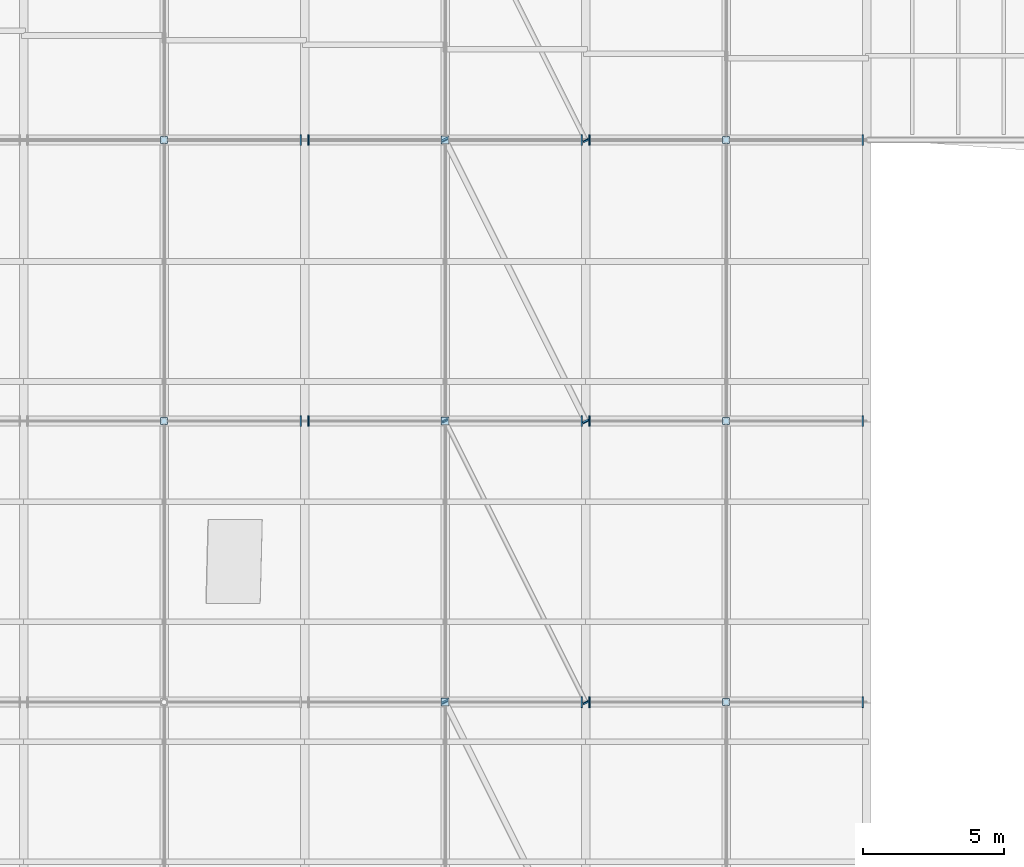
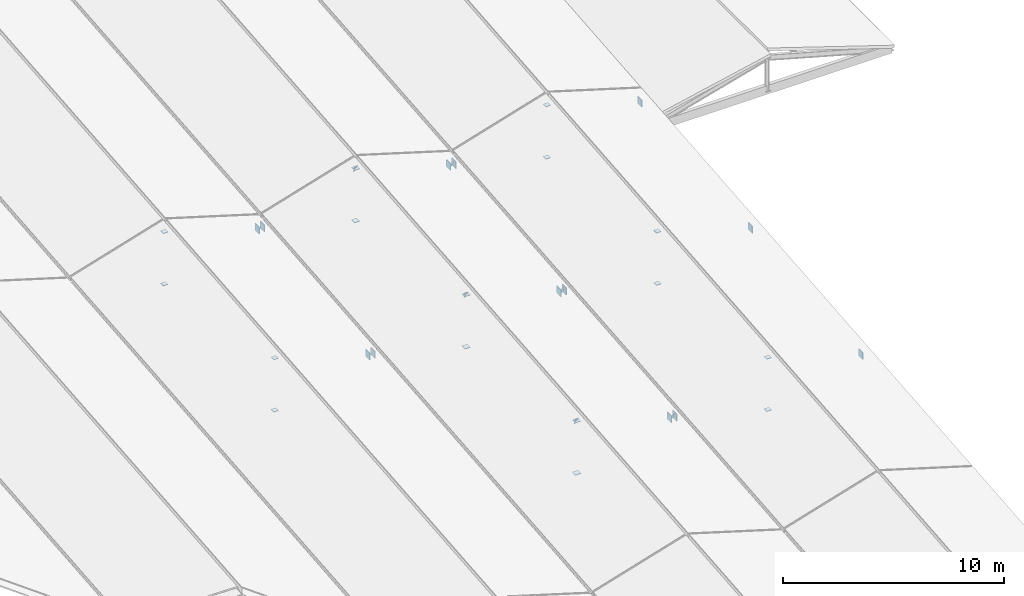
# One storey, part 83 of 90: 35 plates.
"""IFC4 building model written with IfcOpenShell, lengths in metres."""

from ifc_helpers import new_model, si_unit, direction, frame, origin, origin_2d, place, context, subcontext, project, spatial, rectangle, extrude, material, layer, layer_set, type_object, element, save


model = new_model("IFC4")

# Units and contexts
model_context = context("Model", 3, precision=1e-05, world=origin(), true_north=direction((0.0, 1.0)))
body_context = subcontext(model_context, "Body", "Model", "MODEL_VIEW")
ifc_project = project(units=[si_unit("LENGTHUNIT", "METRE"), si_unit("AREAUNIT", "SQUARE_METRE"), si_unit("VOLUMEUNIT", "CUBIC_METRE"), si_unit("PLANEANGLEUNIT", "RADIAN"), si_unit("MASSUNIT", "GRAM", prefix="KILO"), si_unit("THERMODYNAMICTEMPERATUREUNIT", "KELVIN"), si_unit("POWERUNIT", "WATT")], contexts=[model_context])

# Site, building, storey
site_placement = place(None, origin())
site = spatial("IfcSite", under=ifc_project, at=site_placement, CompositionType="ELEMENT")
building_placement = place(site_placement, origin())
building = spatial("IfcBuilding", under=site, at=building_placement, Name="Korenveer Ferry Terminal", CompositionType="ELEMENT")
storey_placement = place(building_placement, frame((0.0, 0.0, 22.199951171875)))
storey = spatial("IfcBuildingStorey", under=building, at=storey_placement, Name="RF", CompositionType="ELEMENT", Elevation=22.199951171875)

# Plates
ifc_material = material(Name="Steel S355", Category="steel")
ifc_layer_1 = layer(ifc_material, 0.031982421875)
ifc_layer_set_1 = layer_set([ifc_layer_1], Name="Steel S355")
plate_type_1 = type_object("IfcPlateType", Name="STR-PLT-CAP32", PredefinedType="USERDEFINED", material=ifc_layer_set_1)
for number, where, z_axis, x_axis, name in (
    (1, (108.0, 60.0, -9.15185546875), (0.0, 0.0, 1.0), (1.0, 0.0, 0.0), "Hollow section end cap 350"),
    (2, (108.0, 60.0, -6.259765625), (0.0, 0.0, 1.0), (1.0, 0.0, 0.0), "Hollow section end cap 351"),
):
    element("IfcPlate", number, at=place(storey_placement, frame(where, z_axis=z_axis, x_axis=x_axis)), inside=storey, type_object=plate_type_1, Name=name, ObjectType="END CAP PLATE", PredefinedType="USERDEFINED", context=body_context, shape_type="SweptSolid", body=[
        extrude(rectangle(XDim=0.280029296875, YDim=0.280029296875, at=origin_2d()), origin(), (0.0, 0.0, 1.0), 0.031982421875),
    ])
for number, where, z_axis, x_axis, name in (
    (3, (118.0, 60.0, -9.15185546875), (0.0, 0.0, 1.0), (1.0, 0.0, 0.0), "Hollow section end cap 354"),
    (4, (118.0, 60.0, -6.259765625), (0.0, 0.0, 1.0), (1.0, 0.0, 0.0), "Hollow section end cap 355"),
    (5, (98.0, 70.0, -8.24365234375), (0.0, 0.0, 1.0), (1.0, 0.0, 0.0), "Hollow section end cap 374"),
    (6, (98.0, 70.0, -5.35205078125), (0.0, 0.0, 1.0), (1.0, 0.0, 0.0), "Hollow section end cap 375"),
):
    element("IfcPlate", number, at=place(storey_placement, frame(where, z_axis=z_axis, x_axis=x_axis)), inside=storey, type_object=plate_type_1, Name=name, ObjectType="END CAP PLATE", PredefinedType="USERDEFINED", context=body_context, shape_type="SweptSolid", body=[
        extrude(rectangle(XDim=0.2490234375, YDim=0.2490234375, at=origin_2d()), origin(), (0.0, 0.0, 1.0), 0.031982421875),
    ])
for number, where, z_axis, x_axis, name in (
    (7, (108.0, 70.0, -8.24365234375), (0.0, 0.0, 1.0), (1.0, 0.0, 0.0), "Hollow section end cap 378"),
    (8, (108.0, 70.0, -5.35205078125), (0.0, 0.0, 1.0), (1.0, 0.0, 0.0), "Hollow section end cap 379"),
):
    element("IfcPlate", number, at=place(storey_placement, frame(where, z_axis=z_axis, x_axis=x_axis)), inside=storey, type_object=plate_type_1, Name=name, ObjectType="END CAP PLATE", PredefinedType="USERDEFINED", context=body_context, shape_type="SweptSolid", body=[
        extrude(rectangle(XDim=0.280029296875, YDim=0.280029296875, at=origin_2d()), origin(), (0.0, 0.0, 1.0), 0.031982421875),
    ])
for number, where, z_axis, x_axis, name in (
    (9, (118.0, 70.0, -8.24365234375), (0.0, 0.0, 1.0), (1.0, 0.0, 0.0), "Hollow section end cap 382"),
    (10, (118.0, 70.0, -5.35205078125), (0.0, 0.0, 1.0), (1.0, 0.0, 0.0), "Hollow section end cap 383"),
    (11, (98.0, 80.0, -7.33544921875), (0.0, 0.0, 1.0), (1.0, 0.0, 0.0), "Hollow section end cap 402"),
    (12, (98.0, 80.0, -4.44384765625), (0.0, 0.0, 1.0), (1.0, 0.0, 0.0), "Hollow section end cap 403"),
):
    element("IfcPlate", number, at=place(storey_placement, frame(where, z_axis=z_axis, x_axis=x_axis)), inside=storey, type_object=plate_type_1, Name=name, ObjectType="END CAP PLATE", PredefinedType="USERDEFINED", context=body_context, shape_type="SweptSolid", body=[
        extrude(rectangle(XDim=0.2490234375, YDim=0.2490234375, at=origin_2d()), origin(), (0.0, 0.0, 1.0), 0.031982421875),
    ])
for number, where, z_axis, x_axis, name in (
    (13, (108.0, 80.0, -7.33544921875), (0.0, 0.0, 1.0), (1.0, 0.0, 0.0), "Hollow section end cap 406"),
    (14, (108.0, 80.0, -4.44384765625), (0.0, 0.0, 1.0), (1.0, 0.0, 0.0), "Hollow section end cap 407"),
):
    element("IfcPlate", number, at=place(storey_placement, frame(where, z_axis=z_axis, x_axis=x_axis)), inside=storey, type_object=plate_type_1, Name=name, ObjectType="END CAP PLATE", PredefinedType="USERDEFINED", context=body_context, shape_type="SweptSolid", body=[
        extrude(rectangle(XDim=0.280029296875, YDim=0.280029296875, at=origin_2d()), origin(), (0.0, 0.0, 1.0), 0.031982421875),
    ])
for number, where, z_axis, x_axis, name in (
    (15, (118.0, 80.0, -7.33544921875), (0.0, 0.0, 1.0), (1.0, 0.0, 0.0), "Hollow section end cap 410"),
    (16, (118.0, 80.0, -4.44384765625), (0.0, 0.0, 1.0), (1.0, 0.0, 0.0), "Hollow section end cap 411"),
    (17, (108.0, 60.0, -6.260009765625), (-0.437110268059, 0.874220536117, 0.211360043028), (-0.894427191, -0.4472135955, 0.0), "Hollow section end cap 585"),
):
    element("IfcPlate", number, at=place(storey_placement, frame(where, z_axis=z_axis, x_axis=x_axis)), inside=storey, type_object=plate_type_1, Name=name, ObjectType="END CAP PLATE", PredefinedType="USERDEFINED", context=body_context, shape_type="SweptSolid", body=[
        extrude(rectangle(XDim=0.2490234375, YDim=0.2490234375, at=origin_2d()), origin(), (0.0, 0.0, 1.0), 0.031982421875),
    ])
for number, where, z_axis, x_axis, name in (
    (18, (113.01416015625, 59.97216796875, -7.7763671875), (-0.437110268059, 0.874220536117, 0.211360043028), (-0.894427191, -0.4472135955, 0.0), "Hollow section end cap 586"),
    (19, (108.0, 70.0, -5.35205078125), (-0.437110268059, 0.874220536117, 0.211360043028), (-0.894427191, -0.4472135955, 0.0), "Hollow section end cap 587"),
):
    element("IfcPlate", number, at=place(storey_placement, frame(where, z_axis=z_axis, x_axis=x_axis)), inside=storey, type_object=plate_type_1, Name=name, ObjectType="END CAP PLATE", PredefinedType="USERDEFINED", context=body_context, shape_type="SweptSolid", body=[
        extrude(rectangle(XDim=0.1982421875, YDim=0.1982421875, at=origin_2d()), origin(), (0.0, 0.0, 1.0), 0.031982421875),
    ])
for number, where, z_axis, x_axis, name in (
    (20, (113.01416015625, 69.97216796875, -6.868408203125), (-0.437110268059, 0.874220536117, 0.211360043028), (-0.894427191, -0.4472135955, 0.0), "Hollow section end cap 588"),
    (21, (108.0, 80.0, -4.444091796875), (-0.437110268059, 0.874220536117, 0.211360043028), (-0.894427191, -0.4472135955, 0.0), "Hollow section end cap 589"),
):
    element("IfcPlate", number, at=place(storey_placement, frame(where, z_axis=z_axis, x_axis=x_axis)), inside=storey, type_object=plate_type_1, Name=name, ObjectType="END CAP PLATE", PredefinedType="USERDEFINED", context=body_context, shape_type="SweptSolid", body=[
        extrude(rectangle(XDim=0.2490234375, YDim=0.2490234375, at=origin_2d()), origin(), (0.0, 0.0, 1.0), 0.031982421875),
    ])
plate_placement = place(storey_placement, frame((113.01416015625, 79.97216796875, -5.96044921875), z_axis=(-0.437110268059, 0.874220536117, 0.211360043028), x_axis=(-0.894427191, -0.4472135955, 0.0)))
element("IfcPlate", 22, at=plate_placement, inside=storey, type_object=plate_type_1, Name="Hollow section end cap 590", ObjectType="END CAP PLATE", PredefinedType="USERDEFINED", context=body_context, shape_type="SweptSolid", body=[
    extrude(rectangle(XDim=0.1982421875, YDim=0.1982421875, at=origin_2d()), origin(), (0.0, 0.0, 1.0), 0.031982421875),
])
ifc_layer_2 = layer(ifc_material, 0.0419921875)
ifc_layer_set_2 = layer_set([ifc_layer_2], Name="Steel S355")
plate_type_2 = type_object("IfcPlateType", Name="STR-PLT-CAP42", PredefinedType="USERDEFINED", material=ifc_layer_set_2)
for number, where, z_axis, x_axis, name in (
    (23, (112.840087890625, 60.0, -7.76953125), (1.0, 0.0, 0.0), (0.0, 1.0, 0.0), "Hollow section end cap 349"),
    (24, (113.117919921875, 60.0, -7.76953125), (1.0, 0.0, 0.0), (0.0, 1.0, 0.0), "Hollow section end cap 352"),
    (25, (122.840087890625, 60.0, -7.76953125), (1.0, 0.0, 0.0), (0.0, 1.0, 0.0), "Hollow section end cap 353"),
    (26, (102.840087890625, 70.0, -6.861572265625), (1.0, 0.0, 0.0), (0.0, 1.0, 0.0), "Hollow section end cap 373"),
    (27, (103.117919921875, 70.0, -6.861572265625), (1.0, 0.0, 0.0), (0.0, 1.0, 0.0), "Hollow section end cap 376"),
    (28, (112.840087890625, 70.0, -6.861572265625), (1.0, 0.0, 0.0), (0.0, 1.0, 0.0), "Hollow section end cap 377"),
    (29, (113.117919921875, 70.0, -6.861572265625), (1.0, 0.0, 0.0), (0.0, 1.0, 0.0), "Hollow section end cap 380"),
    (30, (122.840087890625, 70.0, -6.861572265625), (1.0, 0.0, 0.0), (0.0, 1.0, 0.0), "Hollow section end cap 381"),
    (31, (102.840087890625, 80.0, -5.95361328125), (1.0, 0.0, 0.0), (0.0, 1.0, 0.0), "Hollow section end cap 401"),
    (32, (103.117919921875, 80.0, -5.95361328125), (1.0, 0.0, 0.0), (0.0, 1.0, 0.0), "Hollow section end cap 404"),
    (33, (112.840087890625, 80.0, -5.95361328125), (1.0, 0.0, 0.0), (0.0, 1.0, 0.0), "Hollow section end cap 405"),
    (34, (113.117919921875, 80.0, -5.95361328125), (1.0, 0.0, 0.0), (0.0, 1.0, 0.0), "Hollow section end cap 408"),
    (35, (122.840087890625, 80.0, -5.95361328125), (1.0, 0.0, 0.0), (0.0, 1.0, 0.0), "Hollow section end cap 409"),
):
    element("IfcPlate", number, at=place(storey_placement, frame(where, z_axis=z_axis, x_axis=x_axis)), inside=storey, type_object=plate_type_2, Name=name, ObjectType="END CAP PLATE", PredefinedType="USERDEFINED", context=body_context, shape_type="SweptSolid", body=[
        extrude(rectangle(XDim=0.385498046875, YDim=0.385498046875, at=origin_2d()), origin(), (0.0, 0.0, 1.0), 0.0419921875),
    ])

save(model, "model.ifc")
